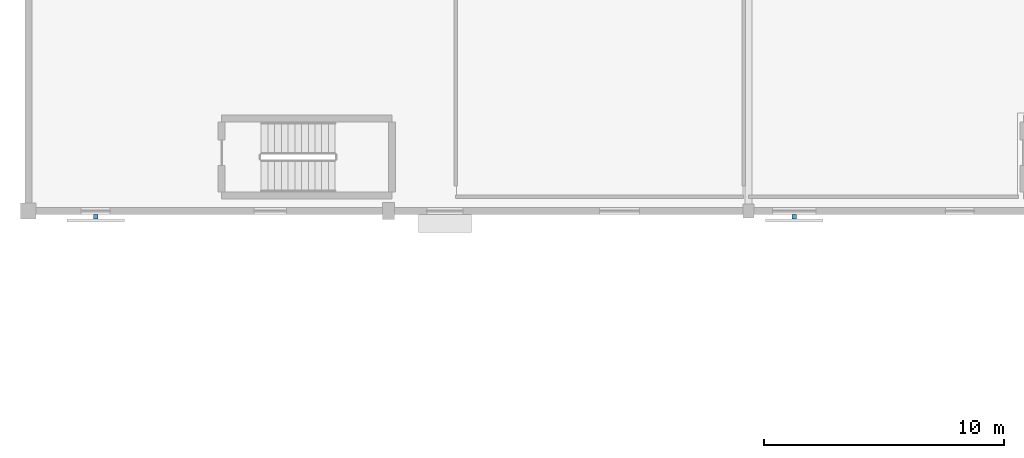
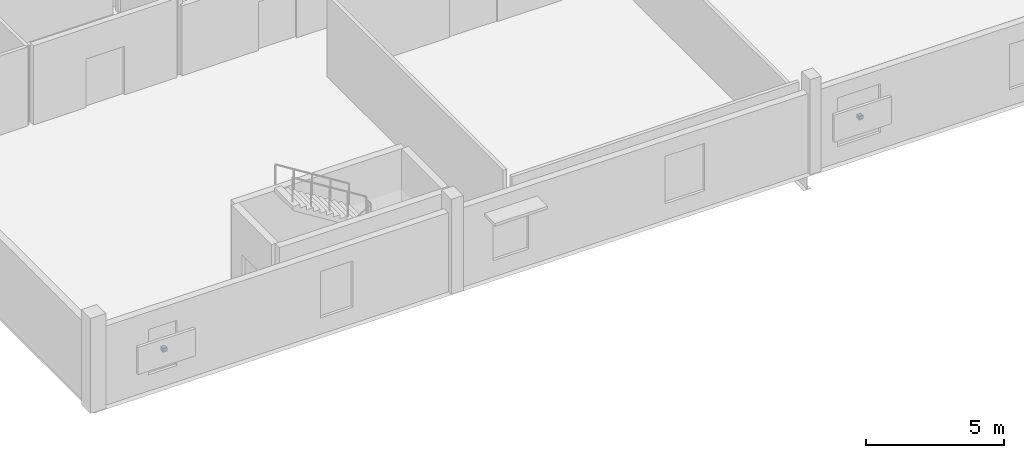
# One storey, part 74 of 92: 2 discrete accessories.
"""IFC4 building model written with IfcOpenShell, lengths in metres."""

from ifc_helpers import new_model, si_unit, direction, frame, origin, origin_2d, place, context, subcontext, project, spatial, rectangle, extrude, material, type_object, element, save


model = new_model("IFC4")

# Units and contexts
model_context = context("Model", 3, precision=1e-05, world=origin(), true_north=direction((0.0, 1.0)))
body_context = subcontext(model_context, "Body", "Model", "MODEL_VIEW")
ifc_project = project(units=[si_unit("LENGTHUNIT", "METRE"), si_unit("AREAUNIT", "SQUARE_METRE"), si_unit("VOLUMEUNIT", "CUBIC_METRE"), si_unit("PLANEANGLEUNIT", "RADIAN"), si_unit("MASSUNIT", "GRAM", prefix="KILO")], contexts=[model_context])

# Site, building, storey
site_placement = place(None, origin())
site = spatial("IfcSite", under=ifc_project, at=site_placement, CompositionType="ELEMENT")
building_placement = place(site_placement, origin())
building = spatial("IfcBuilding", under=site, at=building_placement, Name="Solanera Park Tramway Depot", CompositionType="ELEMENT")
storey_placement = place(building_placement, frame((0.0, 0.0, 4.800048828125)))
storey = spatial("IfcBuildingStorey", under=building, at=storey_placement, Name="L01", CompositionType="ELEMENT", Elevation=4.800048828125)

# Discrete accessories
ifc_material = material(Name="Steel AS/NZS 3679.1 Grade 350", Category="steel")
discrete_accessory_type = type_object("IfcDiscreteAccessoryType", Name="Facade Sunshade Fixing Bracket 180x180", PredefinedType="BRACKET", material=ifc_material)
for number, where, z_axis, x_axis, name in (
    (1, (2.800048828125, 10.56005859375, 1.6298828125), (0.0, 0.0, 1.0), (1.0, 0.0, 0.0), "Jalousie Bracket #004"),
    (2, (31.89990234375, 10.56005859375, 1.705078125), (0.0, 0.0, 1.0), (1.0, 0.0, 0.0), "Jalousie Bracket #006"),
):
    element("IfcDiscreteAccessory", number, at=place(storey_placement, frame(where, z_axis=z_axis, x_axis=x_axis)), inside=storey, type_object=discrete_accessory_type, Name=name, PredefinedType="BRACKET", context=body_context, shape_type="SweptSolid", body=[
        extrude(rectangle(XDim=0.179931640625, YDim=0.179931640625, at=origin_2d()), origin(), (0.0, 0.0, 1.0), 0.179931640625),
    ])

save(model, "model.ifc")
